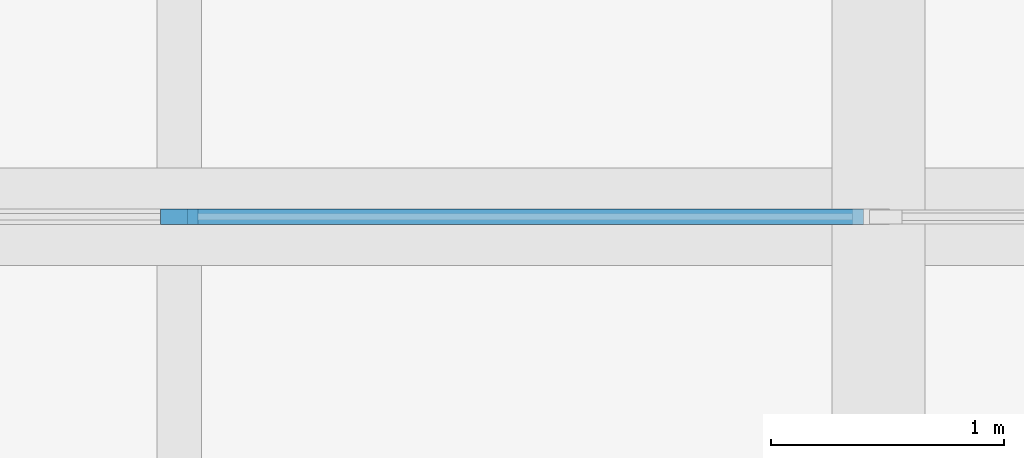
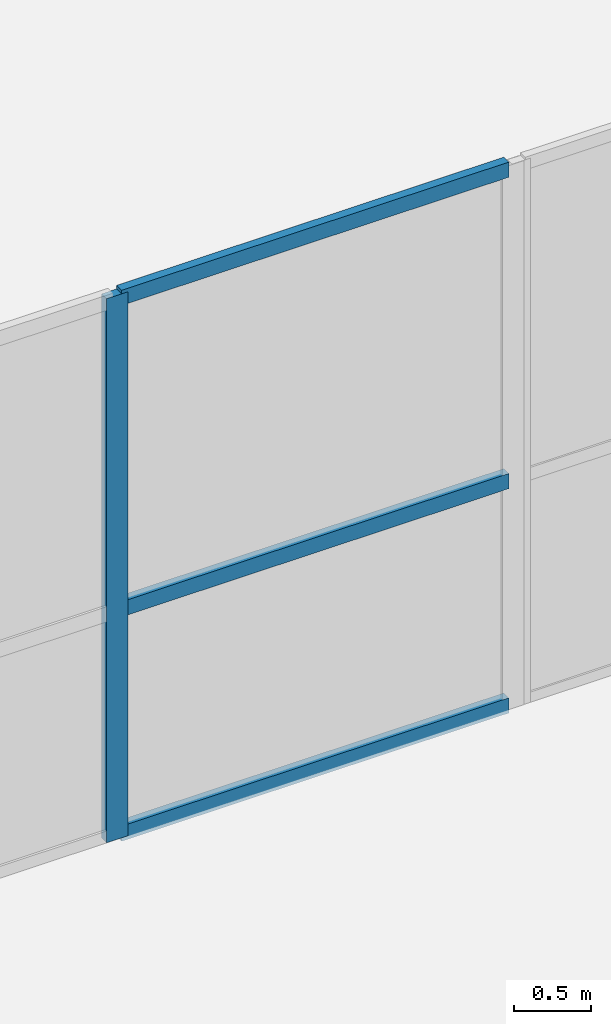
# One storey, part 24 of 50: 4 members, 1 element without a shape of its own.
"""IFC4 building model written with IfcOpenShell, lengths in metres."""

from ifc_helpers import new_model, si_unit, direction, frame, origin, origin_2d, place, context, subcontext, project, spatial, rectangle, extrude, material, layer, layer_set, material_profile, profile_set, type_object, element, aggregate, save


model = new_model("IFC4")

# Units and contexts
model_context = context("Model", 3, precision=1e-05, world=origin(), true_north=direction((0.0, 1.0)))
body_context = subcontext(model_context, "Body", "Model", "MODEL_VIEW")
ifc_project = project(units=[si_unit("LENGTHUNIT", "METRE"), si_unit("AREAUNIT", "SQUARE_METRE"), si_unit("VOLUMEUNIT", "CUBIC_METRE"), si_unit("PLANEANGLEUNIT", "RADIAN"), si_unit("MASSUNIT", "GRAM", prefix="KILO")], contexts=[model_context])

# Site, building, storey
site_placement = place(None, origin())
site = spatial("IfcSite", under=ifc_project, at=site_placement, CompositionType="ELEMENT")
building_placement = place(site_placement, origin())
building = spatial("IfcBuilding", under=site, at=building_placement, Name="Qamarlyn Nura Convention Centre", CompositionType="ELEMENT")
storey_placement = place(building_placement, frame((0.0, 0.0, 20.39990234375)))
storey = spatial("IfcBuildingStorey", under=building, at=storey_placement, Name="L04", CompositionType="ELEMENT", Elevation=20.39990234375)

# Curtain wall, members
ifc_material_1 = material(Name="Double-silver low-E insulated glass", Category="glass")
ifc_layer = layer(ifc_material_1, 0.179931640625, Name="CW-UNIT-149")
ifc_layer_set = layer_set([ifc_layer], Name="Double-silver low-E insulated glass")
curtain_wall_type = type_object("IfcCurtainWallType", Name="CW-UNIT-149", PredefinedType="NOTDEFINED", material=ifc_layer_set)
curtain_wall_placement = place(storey_placement, origin())
curtain_wall = element("IfcCurtainWall", 1, at=curtain_wall_placement, inside=storey, type_object=curtain_wall_type, Name="L04 unitised curtain wall DLN-162-1", PredefinedType="NOTDEFINED")
ifc_material_2 = material(Name="Champagne-anodised marine aluminium", Category="aluminium")
ifc_material_profile_1 = material_profile(ifc_material_2, rectangle(XDim=0.06494140625, YDim=0.159912109375, at=origin_2d()), Name="ALU MULLION 65x160")
ifc_profile_set_1 = profile_set([ifc_material_profile_1], Name="Champagne-anodised marine aluminium")
member_type_1 = type_object("IfcMemberType", Name="CWM-160", PredefinedType="MULLION", material=ifc_profile_set_1)
member_1_placement = place(storey_placement, frame((168.0, 108.0, 0.0), z_axis=(0.0, 0.0, 1.0), x_axis=(0.0, 1.0, 0.0)))
member_1 = element("IfcMember", 2, at=member_1_placement, type_object=member_type_1, Name="CW149 mullion 3", PredefinedType="MULLION", context=body_context, shape_type="SweptSolid", body=[
    extrude(rectangle(XDim=0.06494140625, YDim=0.159912109375, at=origin_2d()), origin(), (0.0, 0.0, 1.0), 4.31005859375),
])
ifc_material_profile_2 = material_profile(ifc_material_2, rectangle(XDim=0.06494140625, YDim=0.1201171875, at=origin_2d()), Name="ALU TRANSOM 65x120")
ifc_profile_set_2 = profile_set([ifc_material_profile_2], Name="Champagne-anodised marine aluminium")
member_type_2 = type_object("IfcMemberType", Name="CWT-120", PredefinedType="USERDEFINED", material=ifc_profile_set_2)
member_2_placement = place(storey_placement, frame((168.032470703125, 108.0, 0.03271484375), z_axis=(1.0, 0.0, 0.0), x_axis=(0.0, 1.0, 0.0)))
member_2 = element("IfcMember", 3, at=member_2_placement, type_object=member_type_2, Name="CW149 transom 3.1", ObjectType="TRANSOM", PredefinedType="USERDEFINED", context=body_context, shape_type="SweptSolid", body=[
    extrude(rectangle(XDim=0.06494140625, YDim=0.1201171875, at=origin_2d()), origin(), (0.0, 0.0, 1.0), 2.902587890625),
])
member_3_placement = place(storey_placement, frame((168.032470703125, 108.0, 1.81005859375), z_axis=(1.0, 0.0, 0.0), x_axis=(0.0, 1.0, 0.0)))
member_3 = element("IfcMember", 4, at=member_3_placement, type_object=member_type_2, Name="CW149 transom 3.2", ObjectType="TRANSOM", PredefinedType="USERDEFINED", context=body_context, shape_type="SweptSolid", body=[
    extrude(rectangle(XDim=0.06494140625, YDim=0.1201171875, at=origin_2d()), origin(), (0.0, 0.0, 1.0), 2.902587890625),
])
member_4_placement = place(storey_placement, frame((168.032470703125, 108.0, 4.277587890625), z_axis=(1.0, 0.0, 0.0), x_axis=(0.0, 1.0, 0.0)))
member_4 = element("IfcMember", 5, at=member_4_placement, type_object=member_type_2, Name="CW149 transom 3.3", ObjectType="TRANSOM", PredefinedType="USERDEFINED", context=body_context, shape_type="SweptSolid", body=[
    extrude(rectangle(XDim=0.06494140625, YDim=0.1201171875, at=origin_2d()), origin(), (0.0, 0.0, 1.0), 2.902587890625),
])
aggregate(curtain_wall, [member_1, member_2, member_3, member_4])

save(model, "model.ifc")
